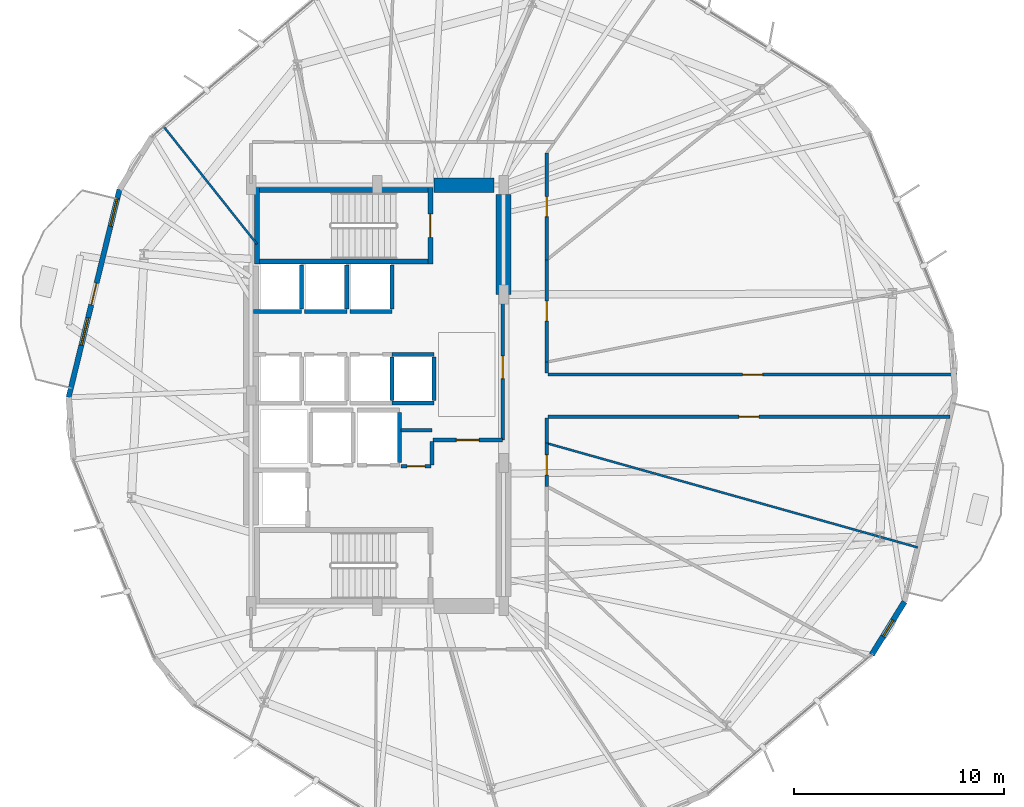
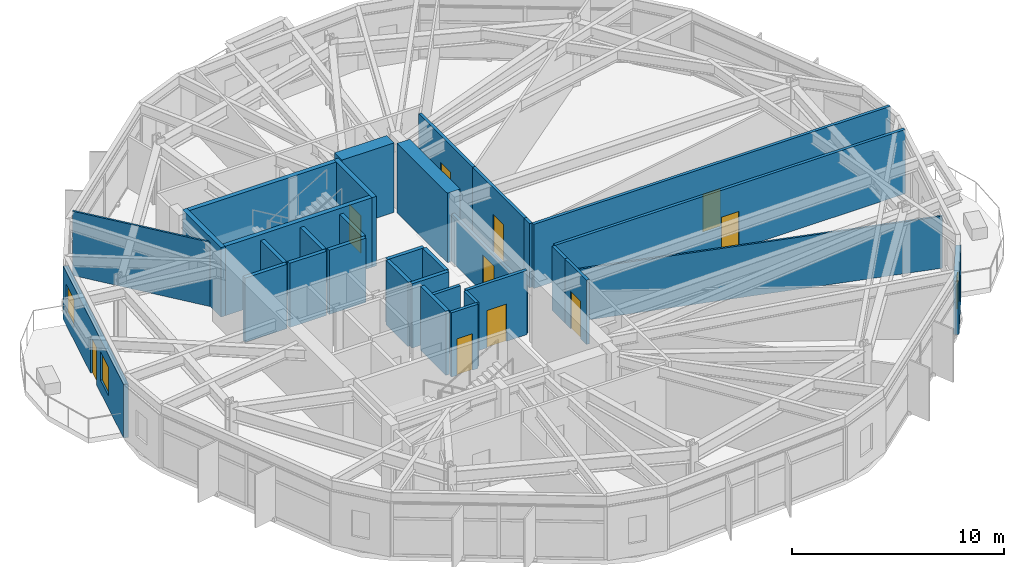
# One storey, part 17 of 22: 33 walls, 10 doors, 3 windows, 13 openings.
"""IFC4 building model written with IfcOpenShell, lengths in metres."""

from ifc_helpers import new_model, si_unit, direction, frame, frame_2d, origin, place, context, subcontext, project, spatial, rectangle, extrude, material, layer, layer_set, type_object, element, fill, save


model = new_model("IFC4")

# Units and contexts
model_context = context("Model", 3, precision=1e-05, world=origin(), true_north=direction((0.0, 1.0)))
body_context = subcontext(model_context, "Body", "Model", "MODEL_VIEW")
ifc_project = project(units=[si_unit("LENGTHUNIT", "METRE"), si_unit("AREAUNIT", "SQUARE_METRE"), si_unit("VOLUMEUNIT", "CUBIC_METRE"), si_unit("PLANEANGLEUNIT", "RADIAN"), si_unit("MASSUNIT", "GRAM", prefix="KILO")], contexts=[model_context])

# Site, building, storey
site_placement = place(None, origin())
site = spatial("IfcSite", under=ifc_project, at=site_placement, CompositionType="ELEMENT")
building_placement = place(site_placement, origin())
building = spatial("IfcBuilding", under=site, at=building_placement, Name="Soratama Intermodal Tower", CompositionType="ELEMENT")
storey_placement = place(building_placement, frame((0.0, 0.0, 46.60009765625)))
storey = spatial("IfcBuildingStorey", under=building, at=storey_placement, Name="L10", CompositionType="ELEMENT", Elevation=46.60009765625)

# Wall, openings, door, windows
ifc_material_1 = material(Name="Concrete f'c 42 MPa", Category="concrete")
ifc_layer_1 = layer(ifc_material_1, 0.25)
ifc_layer_set_1 = layer_set([ifc_layer_1], Name="Concrete f'c 42 MPa")
wall_type_1 = type_object("IfcWallType", Name="EW-BAL-250", PredefinedType="SOLIDWALL", material=ifc_layer_set_1)
wall_1_placement = place(storey_placement, frame((26.349609375, 34.79248046875, 0.0), z_axis=(0.0, 0.0, 1.0), x_axis=(-0.237531151549, -0.971379921577, 0.0)))
wall_1 = element("IfcWall", 1, at=wall_1_placement, inside=storey, type_object=wall_type_1, Name="L10 Terrace Wall F05", PredefinedType="SOLIDWALL", context=body_context, shape_type="SweptSolid", body=[
    extrude(rectangle(XDim=10.165283203125, YDim=0.25, at=frame_2d((5.08251953125, 0.0))), origin(), (0.0, 0.0, 1.0), 3.078857421875),
])
opening_1_placement = place(wall_1_placement, frame((4.58251953125, 0.0, 0.0)))
opening_1 = element("IfcOpeningElement", 2, at=opening_1_placement, cuts=wall_1, Name="Opening ED-5", PredefinedType="OPENING", context=body_context, shape_type="SweptSolid", body=[
    extrude(rectangle(XDim=1.050048828125, YDim=2.14990234375, at=frame_2d((0.52490234375, 1.074951171875))), frame((0.0, 0.135009765625, 0.0), z_axis=(0.0, -1.0, 0.0), x_axis=(1.0, 0.0, 0.0)), (0.0, 0.0, 1.0), 0.27001953125),
])
opening_2_placement = place(wall_1_placement, frame((0.43994140625, 0.0, 0.719970703125)))
opening_2 = element("IfcOpeningElement", 3, at=opening_2_placement, cuts=wall_1, Name="Opening WN-4", PredefinedType="OPENING", context=body_context, shape_type="SweptSolid", body=[
    extrude(rectangle(XDim=1.35009765625, YDim=1.64990234375, at=frame_2d((0.675048828125, 0.824951171875))), frame((0.0, 0.135009765625, 0.0), z_axis=(0.0, -1.0, 0.0), x_axis=(1.0, 0.0, 0.0)), (0.0, 0.0, 1.0), 0.27001953125),
])
opening_3_placement = place(wall_1_placement, frame((6.272705078125, 0.0, 0.719970703125)))
opening_3 = element("IfcOpeningElement", 4, at=opening_3_placement, cuts=wall_1, Name="Opening WN-4", PredefinedType="OPENING", context=body_context, shape_type="SweptSolid", body=[
    extrude(rectangle(XDim=1.35009765625, YDim=1.64990234375, at=frame_2d((0.675048828125, 0.824951171875))), frame((0.0, 0.135009765625, 0.0), z_axis=(0.0, -1.0, 0.0), x_axis=(1.0, 0.0, 0.0)), (0.0, 0.0, 1.0), 0.27001953125),
])
ifc_material_2 = material(Name="Double-glazed aluminium door", Category="aluminium")
door_type_1 = type_object("IfcDoorType", Name="DR-BAL-1050", OperationType="NOTDEFINED", PredefinedType="DOOR", material=ifc_material_2)
door_1_placement = place(opening_1_placement, origin())
door_1 = element("IfcDoor", 5, at=door_1_placement, inside=storey, type_object=door_type_1, Name="L10 Balcony Door F05", OperationType="SINGLE_SWING_LEFT", OverallHeight=2.14990234375, OverallWidth=1.050048828125, PredefinedType="DOOR", context=body_context, shape_type="SweptSolid", body=[
    extrude(rectangle(XDim=1.050048828125, YDim=2.14990234375, at=frame_2d((0.52490234375, 1.074951171875))), frame((0.0, 0.02490234375, 0.0), z_axis=(0.0, -1.0, 0.0), x_axis=(1.0, 0.0, 0.0)), (0.0, 0.0, 1.0), 0.050048828125),
])
fill(opening_1, door_1)
ifc_material_3 = material(Name="Double-glazed aluminium window", Category="aluminium")
window_type_1 = type_object("IfcWindowType", Name="WN-FAC-1350", PartitioningType="SINGLE_PANEL", PredefinedType="WINDOW", material=ifc_material_3)
window_1_placement = place(opening_2_placement, origin())
window_1 = element("IfcWindow", 6, at=window_1_placement, inside=storey, type_object=window_type_1, Name="L10 Window A F05", OverallHeight=1.64990234375, OverallWidth=1.35009765625, PartitioningType="SINGLE_PANEL", PredefinedType="WINDOW", context=body_context, shape_type="SweptSolid", body=[
    extrude(rectangle(XDim=1.35009765625, YDim=1.64990234375, at=frame_2d((0.675048828125, 0.824951171875))), frame((0.0, 0.030029296875, 0.0), z_axis=(0.0, -1.0, 0.0), x_axis=(1.0, 0.0, 0.0)), (0.0, 0.0, 1.0), 0.06005859375),
])
fill(opening_2, window_1)
window_2_placement = place(opening_3_placement, origin())
window_2 = element("IfcWindow", 7, at=window_2_placement, inside=storey, type_object=window_type_1, Name="L10 Window B F05", OverallHeight=1.64990234375, OverallWidth=1.35009765625, PartitioningType="SINGLE_PANEL", PredefinedType="WINDOW", context=body_context, shape_type="SweptSolid", body=[
    extrude(rectangle(XDim=1.35009765625, YDim=1.64990234375, at=frame_2d((0.675048828125, 0.824951171875))), frame((0.0, 0.030029296875, 0.0), z_axis=(0.0, -1.0, 0.0), x_axis=(1.0, 0.0, 0.0)), (0.0, 0.0, 1.0), 0.06005859375),
])
fill(opening_3, window_2)

# Wall, opening, window
ifc_material_4 = material(Name="Concrete f'c 42 MPa", Category="concrete")
ifc_layer_2 = layer(ifc_material_4, 0.27001953125)
ifc_layer_set_2 = layer_set([ifc_layer_2], Name="Concrete f'c 42 MPa")
wall_type_2 = type_object("IfcWallType", Name="EW-CRN-270", PredefinedType="SOLIDWALL", material=ifc_layer_set_2)
wall_2_placement = place(storey_placement, frame((62.08984375, 12.6845703125, 0.0), z_axis=(0.0, 0.0, 1.0), x_axis=(0.526042929665, 0.850458015513, 0.0)))
wall_2 = element("IfcWall", 8, at=wall_2_placement, inside=storey, type_object=wall_type_2, Name="L10 Corner Closure Wall 09", PredefinedType="SOLIDWALL", context=body_context, shape_type="SweptSolid", body=[
    extrude(rectangle(XDim=2.966552734375, YDim=0.27001953125, at=frame_2d((1.4833984375, 0.0))), origin(), (0.0, 0.0, 1.0), 3.078857421875),
])
opening_4_placement = place(wall_2_placement, frame((1.033203125, 0.0, 0.75)))
opening_4 = element("IfcOpeningElement", 9, at=opening_4_placement, cuts=wall_2, Name="Opening WN-6", PredefinedType="OPENING", context=body_context, shape_type="SweptSolid", body=[
    extrude(rectangle(XDim=0.89990234375, YDim=1.5, at=frame_2d((0.449951171875, 0.75))), frame((0.0, 0.14501953125, 0.0), z_axis=(0.0, -1.0, 0.0), x_axis=(1.0, 0.0, 0.0)), (0.0, 0.0, 1.0), 0.2900390625),
])
ifc_material_5 = material(Name="Double-glazed aluminium window", Category="aluminium")
window_type_2 = type_object("IfcWindowType", Name="WN-FAC-900", PartitioningType="SINGLE_PANEL", PredefinedType="WINDOW", material=ifc_material_5)
window_3_placement = place(opening_4_placement, origin())
window_3 = element("IfcWindow", 10, at=window_3_placement, inside=storey, type_object=window_type_2, Name="L10 Corner Window 09", OverallHeight=1.5, OverallWidth=0.89990234375, PartitioningType="SINGLE_PANEL", PredefinedType="WINDOW", context=body_context, shape_type="SweptSolid", body=[
    extrude(rectangle(XDim=0.89990234375, YDim=1.5, at=frame_2d((0.449951171875, 0.75))), frame((0.0, 0.030029296875, 0.0), z_axis=(0.0, -1.0, 0.0), x_axis=(1.0, 0.0, 0.0)), (0.0, 0.0, 1.0), 0.06005859375),
])
fill(opening_4, window_3)

# Wall, opening, door
ifc_material_6 = material(Name="Fire-rated gypsum stud partition", Category="concrete")
ifc_layer_3 = layer(ifc_material_6, 0.159912109375)
ifc_layer_set_3 = layer_set([ifc_layer_3], Name="Fire-rated gypsum stud partition")
wall_type_3 = type_object("IfcWallType", Name="IW-PART-R160", PredefinedType="PARTITIONING", material=ifc_layer_set_3)
wall_3_placement = place(storey_placement, frame((46.719970703125, 26.0, 0.0), z_axis=(0.0, 0.0, 1.0), x_axis=(1.0, 0.0, 0.0)))
wall_3 = element("IfcWall", 11, at=wall_3_placement, inside=storey, type_object=wall_type_3, Name="L10 Partition W-L10-TP001", PredefinedType="PARTITIONING", context=body_context, shape_type="SweptSolid", body=[
    extrude(rectangle(XDim=19.421142578125, YDim=0.159912109375, at=frame_2d((9.71044921875, 0.0))), origin(), (0.0, 0.0, 1.0), 3.699951171875),
])
opening_5_placement = place(wall_3_placement, frame((9.236083984375, 0.0, 0.0)))
opening_5 = element("IfcOpeningElement", 12, at=opening_5_placement, cuts=wall_3, Name="Opening ID-3", PredefinedType="OPENING", context=body_context, shape_type="SweptSolid", body=[
    extrude(rectangle(XDim=0.949951171875, YDim=2.14990234375, at=frame_2d((0.47509765625, 1.074951171875))), frame((0.0, 0.08984375, 0.0), z_axis=(0.0, -1.0, 0.0), x_axis=(1.0, 0.0, 0.0)), (0.0, 0.0, 1.0), 0.179931640625),
])
ifc_material_7 = material(Name="Solid hardwood acoustic door", Category="wood")
door_type_2 = type_object("IfcDoorType", Name="DR-ROOM-950", OperationType="NOTDEFINED", PredefinedType="DOOR", material=ifc_material_7)
door_2_placement = place(opening_5_placement, origin())
door_2 = element("IfcDoor", 13, at=door_2_placement, inside=storey, type_object=door_type_2, Name="L10 Door D-L10-TP001", OperationType="SINGLE_SWING_RIGHT", OverallHeight=2.14990234375, OverallWidth=0.949951171875, PredefinedType="DOOR", context=body_context, shape_type="SweptSolid", body=[
    extrude(rectangle(XDim=0.949951171875, YDim=2.14990234375, at=frame_2d((0.47509765625, 1.074951171875))), frame((0.0, 0.02490234375, 0.0), z_axis=(0.0, -1.0, 0.0), x_axis=(1.0, 0.0, 0.0)), (0.0, 0.0, 1.0), 0.050048828125),
])
fill(opening_5, door_2)

wall_4_placement = place(storey_placement, frame((65.800048828125, 24.0, 0.0), z_axis=(0.0, 0.0, 1.0), x_axis=(-1.0, 0.0, 0.0)))
wall_4 = element("IfcWall", 14, at=wall_4_placement, inside=storey, type_object=wall_type_3, Name="L10 Partition W-L10-TP002", PredefinedType="PARTITIONING", context=body_context, shape_type="SweptSolid", body=[
    extrude(rectangle(XDim=19.080078125, YDim=0.159912109375, at=frame_2d((9.5400390625, 0.0))), origin(), (0.0, 0.0, 1.0), 3.699951171875),
])
opening_6_placement = place(wall_4_placement, frame((9.06494140625, 0.0, 0.0)))
opening_6 = element("IfcOpeningElement", 15, at=opening_6_placement, cuts=wall_4, Name="Opening ID-3", PredefinedType="OPENING", context=body_context, shape_type="SweptSolid", body=[
    extrude(rectangle(XDim=0.949951171875, YDim=2.14990234375, at=frame_2d((0.47509765625, 1.074951171875))), frame((0.0, 0.08984375, 0.0), z_axis=(0.0, -1.0, 0.0), x_axis=(1.0, 0.0, 0.0)), (0.0, 0.0, 1.0), 0.179931640625),
])
door_3_placement = place(opening_6_placement, origin())
door_3 = element("IfcDoor", 16, at=door_3_placement, inside=storey, type_object=door_type_2, Name="L10 Door D-L10-TP002", OperationType="SINGLE_SWING_LEFT", OverallHeight=2.14990234375, OverallWidth=0.949951171875, PredefinedType="DOOR", context=body_context, shape_type="SweptSolid", body=[
    extrude(rectangle(XDim=0.949951171875, YDim=2.14990234375, at=frame_2d((0.47509765625, 1.074951171875))), frame((0.0, 0.02490234375, 0.0), z_axis=(0.0, -1.0, 0.0), x_axis=(1.0, 0.0, 0.0)), (0.0, 0.0, 1.0), 0.050048828125),
])
fill(opening_6, door_3)

wall_5_placement = place(storey_placement, frame((44.56005859375, 29.800048828125, 0.0), z_axis=(0.0, 0.0, 1.0), x_axis=(0.0, -1.0, 0.0)))
wall_5 = element("IfcWall", 17, at=wall_5_placement, inside=storey, type_object=wall_type_3, Name="L10 Partition W-L10-TP015", PredefinedType="PARTITIONING", context=body_context, shape_type="SweptSolid", body=[
    extrude(rectangle(XDim=6.91015625, YDim=0.159912109375, at=frame_2d((3.455078125, 0.0))), origin(), (0.0, 0.0, 1.0), 2.739990234375),
])
opening_7_placement = place(wall_5_placement, frame((2.9150390625, 0.0, 0.0)))
opening_7 = element("IfcOpeningElement", 18, at=opening_7_placement, cuts=wall_5, Name="Opening ID-1", PredefinedType="OPENING", context=body_context, shape_type="SweptSolid", body=[
    extrude(rectangle(XDim=1.080078125, YDim=2.14990234375, at=frame_2d((0.5400390625, 1.074951171875))), frame((0.0, 0.08984375, 0.0), z_axis=(0.0, -1.0, 0.0), x_axis=(1.0, 0.0, 0.0)), (0.0, 0.0, 1.0), 0.179931640625),
])
ifc_material_8 = material(Name="Solid hardwood acoustic door", Category="wood")
door_type_3 = type_object("IfcDoorType", Name="DR-LOB-FD60", OperationType="NOTDEFINED", PredefinedType="DOOR", material=ifc_material_8)
door_4_placement = place(opening_7_placement, origin())
door_4 = element("IfcDoor", 19, at=door_4_placement, inside=storey, type_object=door_type_3, Name="L10 Door D-L10-TP003", OperationType="SINGLE_SWING_RIGHT", OverallHeight=2.14990234375, OverallWidth=1.080078125, PredefinedType="DOOR", context=body_context, shape_type="SweptSolid", body=[
    extrude(rectangle(XDim=1.080078125, YDim=2.14990234375, at=frame_2d((0.5400390625, 1.074951171875))), frame((0.0, 0.02490234375, 0.0), z_axis=(0.0, -1.0, 0.0), x_axis=(1.0, 0.0, 0.0)), (0.0, 0.0, 1.0), 0.050048828125),
])
fill(opening_7, door_4)

wall_6_placement = place(storey_placement, frame((46.64990234375, 36.51904296875, 0.0), z_axis=(0.0, 0.0, 1.0), x_axis=(0.0, -1.0, 0.0)))
wall_6 = element("IfcWall", 20, at=wall_6_placement, inside=storey, type_object=wall_type_3, Name="L10 Partition W-L10-TP017", PredefinedType="PARTITIONING", context=body_context, shape_type="SweptSolid", body=[
    extrude(rectangle(XDim=5.0771484375, YDim=0.159912109375, at=frame_2d((2.53857421875, 0.0))), origin(), (0.0, 0.0, 1.0), 3.699951171875),
])
opening_8_placement = place(wall_6_placement, frame((2.06298828125, 0.0, 0.0)))
opening_8 = element("IfcOpeningElement", 21, at=opening_8_placement, cuts=wall_6, Name="Opening ID-3", PredefinedType="OPENING", context=body_context, shape_type="SweptSolid", body=[
    extrude(rectangle(XDim=0.949951171875, YDim=2.14990234375, at=frame_2d((0.47509765625, 1.074951171875))), frame((0.0, 0.08984375, 0.0), z_axis=(0.0, -1.0, 0.0), x_axis=(1.0, 0.0, 0.0)), (0.0, 0.0, 1.0), 0.179931640625),
])
door_5_placement = place(opening_8_placement, origin())
door_5 = element("IfcDoor", 22, at=door_5_placement, inside=storey, type_object=door_type_2, Name="L10 Door D-L10-TP004", OperationType="SINGLE_SWING_LEFT", OverallHeight=2.14990234375, OverallWidth=0.949951171875, PredefinedType="DOOR", context=body_context, shape_type="SweptSolid", body=[
    extrude(rectangle(XDim=0.949951171875, YDim=2.14990234375, at=frame_2d((0.47509765625, 1.074951171875))), frame((0.0, 0.02490234375, 0.0), z_axis=(0.0, -1.0, 0.0), x_axis=(1.0, 0.0, 0.0)), (0.0, 0.0, 1.0), 0.050048828125),
])
fill(opening_8, door_5)

wall_7_placement = place(storey_placement, frame((46.64990234375, 31.44189453125, 0.0), z_axis=(0.0, 0.0, 1.0), x_axis=(0.0, -1.0, 0.0)))
wall_7 = element("IfcWall", 23, at=wall_7_placement, inside=storey, type_object=wall_type_3, Name="L10 Partition W-L10-TP018", PredefinedType="PARTITIONING", context=body_context, shape_type="SweptSolid", body=[
    extrude(rectangle(XDim=4.848876953125, YDim=0.159912109375, at=frame_2d((2.42431640625, 0.0))), origin(), (0.0, 0.0, 1.0), 3.699951171875),
])
opening_9_placement = place(wall_7_placement, frame((1.949951171875, 0.0, 0.0)))
opening_9 = element("IfcOpeningElement", 24, at=opening_9_placement, cuts=wall_7, Name="Opening ID-3", PredefinedType="OPENING", context=body_context, shape_type="SweptSolid", body=[
    extrude(rectangle(XDim=0.949951171875, YDim=2.14990234375, at=frame_2d((0.47509765625, 1.074951171875))), frame((0.0, 0.08984375, 0.0), z_axis=(0.0, -1.0, 0.0), x_axis=(1.0, 0.0, 0.0)), (0.0, 0.0, 1.0), 0.179931640625),
])
door_6_placement = place(opening_9_placement, origin())
door_6 = element("IfcDoor", 25, at=door_6_placement, inside=storey, type_object=door_type_2, Name="L10 Door D-L10-TP005", OperationType="SINGLE_SWING_RIGHT", OverallHeight=2.14990234375, OverallWidth=0.949951171875, PredefinedType="DOOR", context=body_context, shape_type="SweptSolid", body=[
    extrude(rectangle(XDim=0.949951171875, YDim=2.14990234375, at=frame_2d((0.47509765625, 1.074951171875))), frame((0.0, 0.02490234375, 0.0), z_axis=(0.0, -1.0, 0.0), x_axis=(1.0, 0.0, 0.0)), (0.0, 0.0, 1.0), 0.050048828125),
])
fill(opening_9, door_6)

wall_8_placement = place(storey_placement, frame((46.64990234375, 22.738037109375, 0.0), z_axis=(0.0, 0.0, 1.0), x_axis=(0.0, -1.0, 0.0)))
wall_8 = element("IfcWall", 26, at=wall_8_placement, inside=storey, type_object=wall_type_3, Name="L10 Partition W-L10-TP030", PredefinedType="PARTITIONING", context=body_context, shape_type="SweptSolid", body=[
    extrude(rectangle(XDim=2.049072265625, YDim=0.159912109375, at=frame_2d((1.0244140625, 0.0))), origin(), (0.0, 0.0, 1.0), 3.699951171875),
])
opening_10_placement = place(wall_8_placement, frame((0.549072265625, 0.0, 0.0)))
opening_10 = element("IfcOpeningElement", 27, at=opening_10_placement, cuts=wall_8, Name="Opening ID-3", PredefinedType="OPENING", context=body_context, shape_type="SweptSolid", body=[
    extrude(rectangle(XDim=0.949951171875, YDim=2.14990234375, at=frame_2d((0.47509765625, 1.074951171875))), frame((0.0, 0.08984375, 0.0), z_axis=(0.0, -1.0, 0.0), x_axis=(1.0, 0.0, 0.0)), (0.0, 0.0, 1.0), 0.179931640625),
])
door_7_placement = place(opening_10_placement, origin())
door_7 = element("IfcDoor", 28, at=door_7_placement, inside=storey, type_object=door_type_2, Name="L10 Door D-L10-TP016", OperationType="SINGLE_SWING_LEFT", OverallHeight=2.14990234375, OverallWidth=0.949951171875, PredefinedType="DOOR", context=body_context, shape_type="SweptSolid", body=[
    extrude(rectangle(XDim=0.949951171875, YDim=2.14990234375, at=frame_2d((0.47509765625, 1.074951171875))), frame((0.0, 0.02490234375, 0.0), z_axis=(0.0, -1.0, 0.0), x_axis=(1.0, 0.0, 0.0)), (0.0, 0.0, 1.0), 0.050048828125),
])
fill(opening_10, door_7)

# Walls
wall_9_placement = place(storey_placement, frame((46.64990234375, 23.929931640625, 0.0), z_axis=(0.0, 0.0, 1.0), x_axis=(0.0, -1.0, 0.0)))
element("IfcWall", 29, at=wall_9_placement, inside=storey, type_object=wall_type_3, Name="L10 Partition W-L10-TP035", PredefinedType="PARTITIONING", context=body_context, shape_type="SweptSolid", body=[
    extrude(rectangle(XDim=1.19189453125, YDim=0.159912109375, at=frame_2d((0.595947265625, 0.0))), origin(), (0.0, 0.0, 1.0), 3.699951171875),
])
wall_10_placement = place(storey_placement, frame((46.64990234375, 26.593017578125, 0.0), z_axis=(0.0, 0.0, 1.0), x_axis=(0.0, -1.0, 0.0)))
element("IfcWall", 30, at=wall_10_placement, inside=storey, type_object=wall_type_3, Name="L10 Partition W-L10-TP037", PredefinedType="PARTITIONING", context=body_context, shape_type="SweptSolid", body=[
    extrude(rectangle(XDim=0.52294921875, YDim=0.159912109375, at=frame_2d((0.261474609375, 0.0))), origin(), (0.0, 0.0, 1.0), 3.699951171875),
])
wall_11_placement = place(storey_placement, frame((41.199951171875, 23.360107421875, 0.0), z_axis=(0.0, 0.0, 1.0), x_axis=(-1.0, 0.0, 0.0)))
element("IfcWall", 31, at=wall_11_placement, inside=storey, type_object=wall_type_3, Name="L10 Partition W-L10-TP038", PredefinedType="PARTITIONING", context=body_context, shape_type="SweptSolid", body=[
    extrude(rectangle(XDim=1.47998046875, YDim=0.159912109375, at=frame_2d((0.739990234375, 0.0))), origin(), (0.0, 0.0, 1.0), 3.699951171875),
])

# Wall, opening, door
ifc_material_9 = material(Name="Fire-rated gypsum stud partition", Category="concrete")
ifc_layer_4 = layer(ifc_material_9, 0.169921875)
ifc_layer_set_4 = layer_set([ifc_layer_4], Name="Fire-rated gypsum stud partition")
wall_type_4 = type_object("IfcWallType", Name="IW-PART-R170", PredefinedType="PARTITIONING", material=ifc_layer_set_4)
wall_12_placement = place(storey_placement, frame((41.239990234375, 22.889892578125, 0.0), z_axis=(0.0, 0.0, 1.0), x_axis=(1.0, 0.0, 0.0)))
wall_12 = element("IfcWall", 32, at=wall_12_placement, inside=storey, type_object=wall_type_4, Name="L10 Partition W-L10-TP027", PredefinedType="PARTITIONING", context=body_context, shape_type="SweptSolid", body=[
    extrude(rectangle(XDim=3.320068359375, YDim=0.169921875, at=frame_2d((1.66015625, 0.0))), origin(), (0.0, 0.0, 1.0), 3.699951171875),
])
opening_11_placement = place(wall_12_placement, frame((1.1201171875, 0.0, 0.0)))
opening_11 = element("IfcOpeningElement", 33, at=opening_11_placement, cuts=wall_12, Name="Opening ID-0", PredefinedType="OPENING", context=body_context, shape_type="SweptSolid", body=[
    extrude(rectangle(XDim=1.080078125, YDim=2.14990234375, at=frame_2d((0.5400390625, 1.074951171875))), frame((0.0, 0.094970703125, 0.0), z_axis=(0.0, -1.0, 0.0), x_axis=(1.0, 0.0, 0.0)), (0.0, 0.0, 1.0), 0.18994140625),
])
ifc_material_10 = material(Name="Solid hardwood acoustic door", Category="wood")
door_type_4 = type_object("IfcDoorType", Name="DR-LOB-FD90", OperationType="NOTDEFINED", PredefinedType="DOOR", material=ifc_material_10)
door_8_placement = place(opening_11_placement, origin())
door_8 = element("IfcDoor", 34, at=door_8_placement, inside=storey, type_object=door_type_4, Name="L10 Door D-L10-TP013", OperationType="SINGLE_SWING_RIGHT", OverallHeight=2.14990234375, OverallWidth=1.080078125, PredefinedType="DOOR", context=body_context, shape_type="SweptSolid", body=[
    extrude(rectangle(XDim=1.080078125, YDim=2.14990234375, at=frame_2d((0.5400390625, 1.074951171875))), frame((0.0, 0.02490234375, 0.0), z_axis=(0.0, -1.0, 0.0), x_axis=(1.0, 0.0, 0.0)), (0.0, 0.0, 1.0), 0.050048828125),
])
fill(opening_11, door_8)

wall_13_placement = place(storey_placement, frame((39.719970703125, 21.639892578125, 0.0), z_axis=(0.0, 0.0, 1.0), x_axis=(1.0, 0.0, 0.0)))
wall_13 = element("IfcWall", 35, at=wall_13_placement, inside=storey, type_object=wall_type_4, Name="L10 Partition W-L10-TP034", PredefinedType="PARTITIONING", context=body_context, shape_type="SweptSolid", body=[
    extrude(rectangle(XDim=1.43994140625, YDim=0.169921875, at=frame_2d((0.719970703125, 0.0))), origin(), (0.0, 0.0, 1.0), 3.699951171875),
])
opening_12_placement = place(wall_13_placement, frame((0.294921875, 0.0, 0.0)))
opening_12 = element("IfcOpeningElement", 36, at=opening_12_placement, cuts=wall_13, Name="Opening ID-4", PredefinedType="OPENING", context=body_context, shape_type="SweptSolid", body=[
    extrude(rectangle(XDim=0.85009765625, YDim=2.10009765625, at=frame_2d((0.425048828125, 1.050048828125))), frame((0.0, 0.094970703125, 0.0), z_axis=(0.0, -1.0, 0.0), x_axis=(1.0, 0.0, 0.0)), (0.0, 0.0, 1.0), 0.18994140625),
])
ifc_material_11 = material(Name="Solid hardwood acoustic door", Category="wood")
door_type_5 = type_object("IfcDoorType", Name="DR-BATH-850", OperationType="NOTDEFINED", PredefinedType="DOOR", material=ifc_material_11)
door_9_placement = place(opening_12_placement, origin())
door_9 = element("IfcDoor", 37, at=door_9_placement, inside=storey, type_object=door_type_5, Name="L10 Door D-L10-TP018", OperationType="SINGLE_SWING_LEFT", OverallHeight=2.10009765625, OverallWidth=0.85009765625, PredefinedType="DOOR", context=body_context, shape_type="SweptSolid", body=[
    extrude(rectangle(XDim=0.85009765625, YDim=2.10009765625, at=frame_2d((0.425048828125, 1.050048828125))), frame((0.0, 0.02490234375, 0.0), z_axis=(0.0, -1.0, 0.0), x_axis=(1.0, 0.0, 0.0)), (0.0, 0.0, 1.0), 0.050048828125),
])
fill(opening_12, door_9)

# Walls
wall_14_placement = place(storey_placement, frame((41.199951171875, 21.699951171875, 0.0), z_axis=(0.0, 0.0, 1.0), x_axis=(0.0, 1.0, 0.0)))
element("IfcWall", 38, at=wall_14_placement, inside=storey, type_object=wall_type_4, Name="L10 Partition W-L10-TP036", PredefinedType="PARTITIONING", context=body_context, shape_type="SweptSolid", body=[
    extrude(rectangle(XDim=1.1201171875, YDim=0.169921875, at=frame_2d((0.56005859375, 0.0))), origin(), (0.0, 0.0, 1.0), 3.699951171875),
])
ifc_material_12 = material(Name="Fire-rated gypsum stud partition", Category="concrete")
ifc_layer_5 = layer(ifc_material_12, 0.10009765625)
ifc_layer_set_5 = layer_set([ifc_layer_5], Name="Fire-rated gypsum stud partition")
wall_type_5 = type_object("IfcWallType", Name="IW-PART-S100", PredefinedType="PARTITIONING", material=ifc_layer_set_5)
wall_15_placement = place(storey_placement, frame((46.64990234375, 22.738037109375, 0.0), z_axis=(0.0, 0.0, 1.0), x_axis=(0.962730920805, -0.270461039939, 0.0)))
element("IfcWall", 39, at=wall_15_placement, inside=storey, type_object=wall_type_5, Name="L10 Partition W-L10-TP004", PredefinedType="PARTITIONING", context=body_context, shape_type="SweptSolid", body=[
    extrude(rectangle(XDim=18.313720703125, YDim=0.10009765625, at=frame_2d((9.15673828125, 0.0))), origin(), (0.0, 0.0, 1.0), 2.994873046875),
])
wall_16_placement = place(storey_placement, frame((32.8798828125, 32.201904296875, 0.0), z_axis=(0.0, 0.0, 1.0), x_axis=(-0.62182955162, 0.783152608839, 0.0)))
element("IfcWall", 40, at=wall_16_placement, inside=storey, type_object=wall_type_5, Name="L10 Partition W-L10-TP014", PredefinedType="PARTITIONING", context=body_context, shape_type="SweptSolid", body=[
    extrude(rectangle(XDim=7.117431640625, YDim=0.10009765625, at=frame_2d((3.55859375, 0.0))), origin(), (0.0, 0.0, 1.0), 3.699951171875),
])
ifc_material_13 = material(Name="Concrete f'c 42 MPa", Category="concrete")
ifc_layer_6 = layer(ifc_material_13, 0.199951171875)
ifc_layer_set_6 = layer_set([ifc_layer_6], Name="Concrete f'c 42 MPa")
wall_type_6 = type_object("IfcWallType", Name="IW-SHAFT-200", PredefinedType="SOLIDWALL", material=ifc_layer_set_6)
wall_17_placement = place(storey_placement, frame((39.64990234375, 21.81005859375, 0.0), z_axis=(0.0, 0.0, 1.0), x_axis=(0.0, 1.0, 0.0)))
element("IfcWall", 41, at=wall_17_placement, inside=storey, type_object=wall_type_6, Name="L10 FFL-2 Hoistway Wall E", PredefinedType="SOLIDWALL", context=body_context, shape_type="SweptSolid", body=[
    extrude(rectangle(XDim=2.3798828125, YDim=0.199951171875, at=frame_2d((1.18994140625, 0.0))), origin(), (0.0, 0.0, 1.0), 3.699951171875),
])
wall_18_placement = place(storey_placement, frame((39.300048828125, 24.760009765625, 0.0), z_axis=(0.0, 0.0, 1.0), x_axis=(0.0, 1.0, 0.0)))
element("IfcWall", 42, at=wall_18_placement, inside=storey, type_object=wall_type_6, Name="L10 PL-L3 Hoistway Wall E", PredefinedType="SOLIDWALL", context=body_context, shape_type="SweptSolid", body=[
    extrude(rectangle(XDim=2.080078125, YDim=0.199951171875, at=frame_2d((1.0400390625, 0.0))), origin(), (0.0, 0.0, 1.0), 3.699951171875),
])
for number, where, z_axis, x_axis, name in (
    (43, (39.300048828125, 24.64990234375, 0.0), (0.0, 0.0, 1.0), (1.0, 0.0, 0.0), "L10 PL-M1 Hoistway Wall S"),
    (44, (39.300048828125, 26.949951171875, 0.0), (0.0, 0.0, 1.0), (1.0, 0.0, 0.0), "L10 PL-M1 Hoistway Wall N"),
):
    element("IfcWall", number, at=place(storey_placement, frame(where, z_axis=z_axis, x_axis=x_axis)), inside=storey, type_object=wall_type_6, Name=name, PredefinedType="SOLIDWALL", context=body_context, shape_type="SweptSolid", body=[
        extrude(rectangle(XDim=2.0, YDim=0.199951171875, at=frame_2d((1.0, 0.0))), origin(), (0.0, 0.0, 1.0), 3.699951171875),
    ])
wall_19_placement = place(storey_placement, frame((41.300048828125, 24.760009765625, 0.0), z_axis=(0.0, 0.0, 1.0), x_axis=(0.0, 1.0, 0.0)))
element("IfcWall", 45, at=wall_19_placement, inside=storey, type_object=wall_type_6, Name="L10 PL-M1 Hoistway Wall E", PredefinedType="SOLIDWALL", context=body_context, shape_type="SweptSolid", body=[
    extrude(rectangle(XDim=2.080078125, YDim=0.199951171875, at=frame_2d((1.0400390625, 0.0))), origin(), (0.0, 0.0, 1.0), 3.699951171875),
])
wall_20_placement = place(storey_placement, frame((32.719970703125, 29.0, 0.0), z_axis=(0.0, 0.0, 1.0), x_axis=(1.0, 0.0, 0.0)))
element("IfcWall", 46, at=wall_20_placement, inside=storey, type_object=wall_type_6, Name="L10 PL-M2 Hoistway Wall S", PredefinedType="SOLIDWALL", context=body_context, shape_type="SweptSolid", body=[
    extrude(rectangle(XDim=2.280029296875, YDim=0.199951171875, at=frame_2d((1.14013671875, 0.0))), origin(), (0.0, 0.0, 1.0), 3.699951171875),
])
wall_21_placement = place(storey_placement, frame((35.0, 29.110107421875, 0.0), z_axis=(0.0, 0.0, 1.0), x_axis=(0.0, 1.0, 0.0)))
element("IfcWall", 47, at=wall_21_placement, inside=storey, type_object=wall_type_6, Name="L10 PL-M2 Hoistway Wall E", PredefinedType="SOLIDWALL", context=body_context, shape_type="SweptSolid", body=[
    extrude(rectangle(XDim=2.099853515625, YDim=0.199951171875, at=frame_2d((1.0498046875, 0.0))), origin(), (0.0, 0.0, 1.0), 3.699951171875),
])
wall_22_placement = place(storey_placement, frame((35.14990234375, 29.0, 0.0), z_axis=(0.0, 0.0, 1.0), x_axis=(1.0, 0.0, 0.0)))
element("IfcWall", 48, at=wall_22_placement, inside=storey, type_object=wall_type_6, Name="L10 PL-H1 Hoistway Wall S", PredefinedType="SOLIDWALL", context=body_context, shape_type="SweptSolid", body=[
    extrude(rectangle(XDim=2.0, YDim=0.199951171875, at=frame_2d((1.0, 0.0))), origin(), (0.0, 0.0, 1.0), 3.699951171875),
])
wall_23_placement = place(storey_placement, frame((37.14990234375, 29.110107421875, 0.0), z_axis=(0.0, 0.0, 1.0), x_axis=(0.0, 1.0, 0.0)))
element("IfcWall", 49, at=wall_23_placement, inside=storey, type_object=wall_type_6, Name="L10 PL-H1 Hoistway Wall E", PredefinedType="SOLIDWALL", context=body_context, shape_type="SweptSolid", body=[
    extrude(rectangle(XDim=2.099853515625, YDim=0.199951171875, at=frame_2d((1.0498046875, 0.0))), origin(), (0.0, 0.0, 1.0), 3.699951171875),
])
wall_24_placement = place(storey_placement, frame((37.300048828125, 29.0, 0.0), z_axis=(0.0, 0.0, 1.0), x_axis=(1.0, 0.0, 0.0)))
element("IfcWall", 50, at=wall_24_placement, inside=storey, type_object=wall_type_6, Name="L10 PL-H2 Hoistway Wall S", PredefinedType="SOLIDWALL", context=body_context, shape_type="SweptSolid", body=[
    extrude(rectangle(XDim=2.0, YDim=0.199951171875, at=frame_2d((1.0, 0.0))), origin(), (0.0, 0.0, 1.0), 3.699951171875),
])
wall_25_placement = place(storey_placement, frame((39.300048828125, 29.110107421875, 0.0), z_axis=(0.0, 0.0, 1.0), x_axis=(0.0, 1.0, 0.0)))
element("IfcWall", 51, at=wall_25_placement, inside=storey, type_object=wall_type_6, Name="L10 PL-H2 Hoistway Wall E", PredefinedType="SOLIDWALL", context=body_context, shape_type="SweptSolid", body=[
    extrude(rectangle(XDim=2.099853515625, YDim=0.199951171875, at=frame_2d((1.0498046875, 0.0))), origin(), (0.0, 0.0, 1.0), 3.699951171875),
])
ifc_material_14 = material(Name="Concrete f'c 56 MPa", Category="concrete")
ifc_layer_7 = layer(ifc_material_14, 0.699951171875)
ifc_layer_set_7 = layer_set([ifc_layer_7], Name="Concrete f'c 56 MPa")
wall_type_7 = type_object("IfcWallType", Name="SW-CORE-700", PredefinedType="SHEAR", material=ifc_layer_set_7)
wall_26_placement = place(storey_placement, frame((41.300048828125, 35.0, 0.0), z_axis=(0.0, 0.0, 1.0), x_axis=(1.0, 0.0, 0.0)))
element("IfcWall", 52, at=wall_26_placement, inside=storey, type_object=wall_type_7, Name="L10 Core Shear Wall CW-NE", PredefinedType="SHEAR", context=body_context, shape_type="SweptSolid", body=[
    extrude(rectangle(XDim=2.849853515625, YDim=0.699951171875, at=frame_2d((1.4248046875, 0.0))), origin(), (0.0, 0.0, 1.0), 4.0),
])
wall_27_placement = place(storey_placement, frame((44.60009765625, 29.800048828125, 0.0), z_axis=(0.0, 0.0, 1.0), x_axis=(0.0, 1.0, 0.0)))
element("IfcWall", 53, at=wall_27_placement, inside=storey, type_object=wall_type_7, Name="L10 Core Shear Wall CW-EN", PredefinedType="SHEAR", context=body_context, shape_type="SweptSolid", body=[
    extrude(rectangle(XDim=4.75, YDim=0.699951171875, at=frame_2d((2.375, 0.0))), origin(), (0.0, 0.0, 1.0), 4.0),
])
ifc_material_15 = material(Name="Concrete f'c 56 MPa", Category="concrete")
ifc_layer_8 = layer(ifc_material_15, 0.239990234375)
ifc_layer_set_8 = layer_set([ifc_layer_8], Name="Concrete f'c 56 MPa")
wall_type_8 = type_object("IfcWallType", Name="SW-STAIR-240", PredefinedType="SHEAR", material=ifc_layer_set_8)
wall_28_placement = place(storey_placement, frame((32.8798828125, 31.260009765625, 0.0), z_axis=(0.0, 0.0, 1.0), x_axis=(0.0, 1.0, 0.0)))
element("IfcWall", 54, at=wall_28_placement, inside=storey, type_object=wall_type_8, Name="L10 ST-2 Shaft Shear Wall W", PredefinedType="SHEAR", context=body_context, shape_type="SweptSolid", body=[
    extrude(rectangle(XDim=3.6298828125, YDim=0.239990234375, at=frame_2d((1.81494140625, 0.0))), origin(), (0.0, 0.0, 1.0), 4.0),
])

# Wall, opening, door
wall_29_placement = place(storey_placement, frame((41.1201171875, 31.260009765625, 0.0), z_axis=(0.0, 0.0, 1.0), x_axis=(0.0, 1.0, 0.0)))
wall_29 = element("IfcWall", 55, at=wall_29_placement, inside=storey, type_object=wall_type_8, Name="L10 ST-2 Shaft Shear Wall E", PredefinedType="SHEAR", context=body_context, shape_type="SweptSolid", body=[
    extrude(rectangle(XDim=3.6298828125, YDim=0.239990234375, at=frame_2d((1.81494140625, 0.0))), origin(), (0.0, 0.0, 1.0), 4.0),
])
opening_13_placement = place(wall_29_placement, frame((1.2548828125, 0.0, 0.0)))
opening_13 = element("IfcOpeningElement", 56, at=opening_13_placement, cuts=wall_29, Name="Opening SD-1", PredefinedType="OPENING", context=body_context, shape_type="SweptSolid", body=[
    extrude(rectangle(XDim=1.1201171875, YDim=2.14990234375, at=frame_2d((0.56005859375, 1.074951171875))), frame((0.0, 0.1298828125, 0.0), z_axis=(0.0, -1.0, 0.0), x_axis=(1.0, 0.0, 0.0)), (0.0, 0.0, 1.0), 0.260009765625),
])
ifc_material_16 = material(Name="Steel fire door", Category="steel")
door_type_6 = type_object("IfcDoorType", Name="DR-STAIR-FD90", OperationType="NOTDEFINED", PredefinedType="DOOR", material=ifc_material_16)
door_10_placement = place(opening_13_placement, origin())
door_10 = element("IfcDoor", 57, at=door_10_placement, inside=storey, type_object=door_type_6, Name="L10 ST-2 Exit Stair Door", OperationType="SINGLE_SWING_RIGHT", OverallHeight=2.14990234375, OverallWidth=1.1201171875, PredefinedType="DOOR", context=body_context, shape_type="SweptSolid", body=[
    extrude(rectangle(XDim=1.1201171875, YDim=2.14990234375, at=frame_2d((0.56005859375, 1.074951171875))), frame((0.0, 0.02490234375, 0.0), z_axis=(0.0, -1.0, 0.0), x_axis=(1.0, 0.0, 0.0)), (0.0, 0.0, 1.0), 0.050048828125),
])
fill(opening_13, door_10)

# Walls
for number, where, z_axis, x_axis, name in (
    (58, (33.0, 31.3798828125, 0.0), (0.0, 0.0, 1.0), (1.0, 0.0, 0.0), "L10 ST-2 Shaft Shear Wall S"),
    (59, (33.0, 34.77001953125, 0.0), (0.0, 0.0, 1.0), (1.0, 0.0, 0.0), "L10 ST-2 Shaft Shear Wall N"),
):
    element("IfcWall", number, at=place(storey_placement, frame(where, z_axis=z_axis, x_axis=x_axis)), inside=storey, type_object=wall_type_8, Name=name, PredefinedType="SHEAR", context=body_context, shape_type="SweptSolid", body=[
        extrude(rectangle(XDim=8.0, YDim=0.239990234375, at=frame_2d((4.0, 0.0))), origin(), (0.0, 0.0, 1.0), 4.0),
    ])

save(model, "model.ifc")
